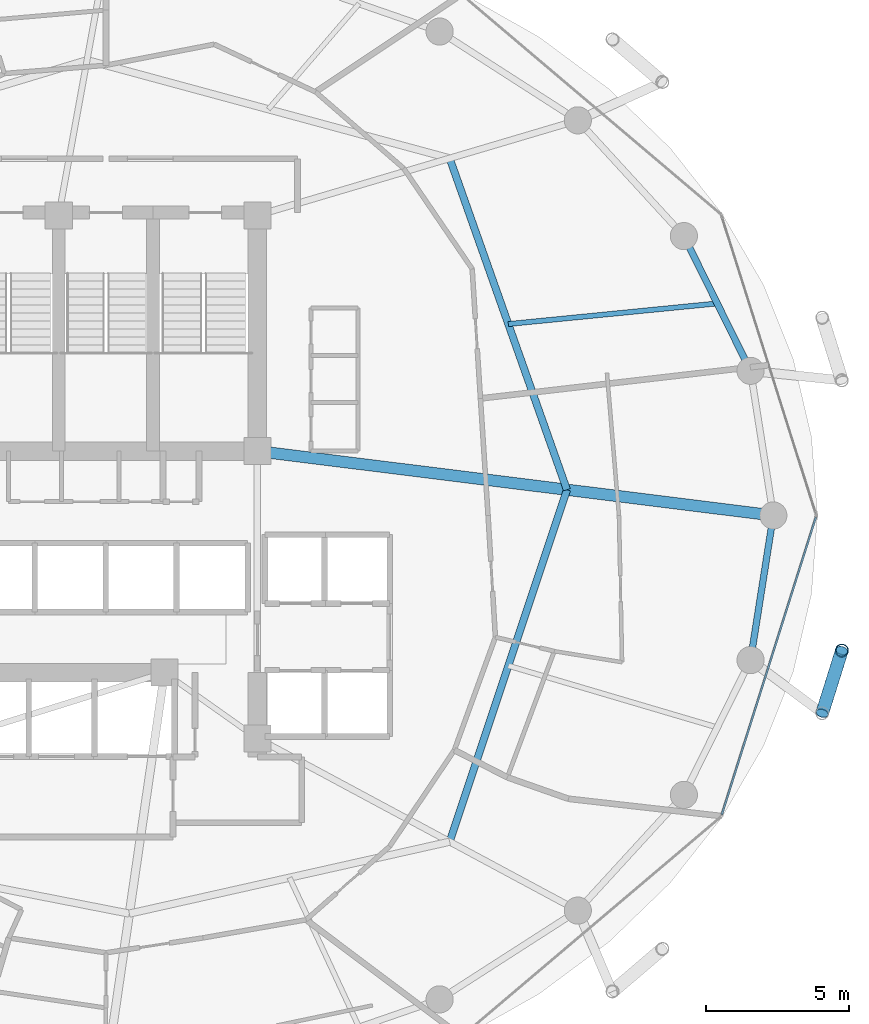
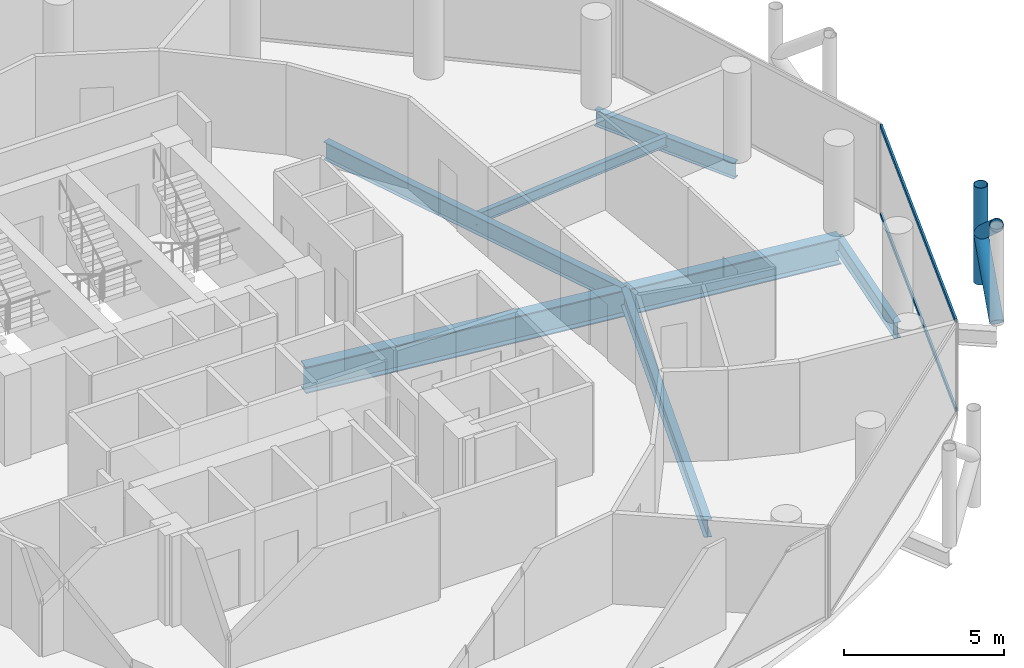
# One storey, part 11 of 26: 6 beams, 5 members, 1 element without a shape of its own.
"""IFC4 building model written with IfcOpenShell, lengths in metres."""

import ifcopenshell
import ifcopenshell.guid

model = None  # the IFC model being written
_history = None  # IfcOwnerHistory: only IFC2X3 demands one
_inside = {}  # id of a spatial element -> (the spatial element, [elements in it])
_under = {}  # id of a project, library or spatial element -> (it, [spatial elements below it])
_declared = {}  # id of a project -> (the project, [libraries it declares])
_typed = {}  # id of a type object -> (the type object, [elements of that type])
_made_of = {}  # id of a material, layer set ... -> (it, [elements and type objects made of it])


def new_model(schema):
    """Start an empty IFC model of exactly this schema.

    Asked for "IFC4X3", IfcOpenShell would pick the latest addendum, in which some entities
    have other attributes; the version numbers below select the first issue.
    IFC2X3 requires an IfcOwnerHistory on every rooted entity: one is made here for all.
    """
    global model, _history
    if schema == "IFC4X3":
        model = ifcopenshell.file(schema_version=(4, 3, 0, 0))
    else:
        model = ifcopenshell.file(schema=schema)
    _inside.clear()
    _under.clear()
    _declared.clear()
    _typed.clear()
    _made_of.clear()
    _history = None
    if model.schema == "IFC2X3":
        org = make("IfcOrganization", Name="unknown")
        user = make(
            "IfcPersonAndOrganization",
            ThePerson=make("IfcPerson", FamilyName="unknown"),
            TheOrganization=org,
        )
        app = make(
            "IfcApplication",
            ApplicationDeveloper=org,
            Version="unknown",
            ApplicationFullName="unknown",
            ApplicationIdentifier="unknown",
        )
        _history = make(
            "IfcOwnerHistory",
            OwningUser=user,
            OwningApplication=app,
            ChangeAction="ADDED",
            CreationDate=0,
        )
    return model


def make(cls, **values):
    """One entity of the class cls with the attributes given. An attribute that is None is left unset."""
    return model.create_entity(
        cls, **{name: value for name, value in values.items() if value is not None}
    )


def rooted(cls, **values):
    """An entity with a GlobalId (a new one), such as an element, a storey or a relation."""
    return make(cls, GlobalId=ifcopenshell.guid.new(), OwnerHistory=_history, **values)


def si_unit(unit_type, name, prefix=None):
    """IfcSIUnit, for example si_unit("LENGTHUNIT", "METRE", prefix="MILLI")."""
    return make("IfcSIUnit", UnitType=unit_type, Prefix=prefix, Name=name)


def assignment(units):
    """IfcUnitAssignment: the units of a project."""
    return None if units is None else make("IfcUnitAssignment", Units=units)


def point(xyz):
    """IfcCartesianPoint."""
    return None if xyz is None else make("IfcCartesianPoint", Coordinates=xyz)


def direction(xyz):
    """IfcDirection."""
    return None if xyz is None else make("IfcDirection", DirectionRatios=xyz)


def frame(location, z_axis=None, x_axis=None):
    """IfcAxis2Placement3D, a coordinate frame: its origin and axes. An axis left out is left unset."""
    return make(
        "IfcAxis2Placement3D",
        Location=point(location),
        Axis=direction(z_axis),
        RefDirection=direction(x_axis),
    )


def frame_2d(location, x_axis=None):
    """IfcAxis2Placement2D, a coordinate frame in the plane: its origin and x axis."""
    return make(
        "IfcAxis2Placement2D", Location=point(location), RefDirection=direction(x_axis)
    )


def origin():
    """The frame at (0, 0, 0) with its axes left unset."""
    return frame((0.0, 0.0, 0.0))


def origin_2d():
    """The frame at (0, 0) in the plane with its x axis left unset."""
    return frame_2d((0.0, 0.0))


def place(relative_to, where):
    """IfcLocalPlacement: puts the frame where relative to a parent placement (None: the world)."""
    return make(
        "IfcLocalPlacement", PlacementRelTo=relative_to, RelativePlacement=where
    )


def context(
    kind, dimensions, precision=None, world=None, true_north=None, identifier=None
):
    """IfcGeometricRepresentationContext, for example the 3D "Model" context."""
    return make(
        "IfcGeometricRepresentationContext",
        ContextIdentifier=identifier,
        ContextType=kind,
        CoordinateSpaceDimension=dimensions,
        Precision=precision,
        WorldCoordinateSystem=world,
        TrueNorth=true_north,
    )


def subcontext(parent, identifier, kind, view, scale=None):
    """IfcGeometricRepresentationSubContext, for example "Body" below "Model"."""
    return make(
        "IfcGeometricRepresentationSubContext",
        ContextIdentifier=identifier,
        ContextType=kind,
        ParentContext=parent,
        TargetScale=scale,
        TargetView=view,
    )


def project(units=None, contexts=None):
    """IfcProject with its units and contexts."""
    return rooted(
        "IfcProject",
        Name="project",
        RepresentationContexts=contexts,
        UnitsInContext=assignment(units),
    )


def spatial(cls, under=None, at=None, **own):
    """A site, building, storey or space (cls), placed at a placement, below another one or the project."""
    s = rooted(cls, ObjectPlacement=at, **own)
    if under is not None:
        _under.setdefault(under.id(), (under, []))[1].append(s)
    return s


def profile(cls, at=None, kind="AREA", **sizes):
    """A parametric profile (cls). Its sizes go by their IFC names, for example OverallWidth=200.0."""
    return make(cls, ProfileType=kind, Position=at, **sizes)


def hollow_rectangle(**sizes):
    """IfcRectangleHollowProfileDef."""
    return profile("IfcRectangleHollowProfileDef", **sizes)


def hollow_circle(**sizes):
    """IfcCircleHollowProfileDef."""
    return profile("IfcCircleHollowProfileDef", **sizes)


def i_section(**sizes):
    """IfcIShapeProfileDef."""
    return profile("IfcIShapeProfileDef", **sizes)


def extrude(swept, where, along, depth):
    """IfcExtrudedAreaSolid: the profile swept, set in the frame where, extruded along a direction by depth."""
    return make(
        "IfcExtrudedAreaSolid",
        SweptArea=swept,
        Position=where,
        ExtrudedDirection=direction(along),
        Depth=depth,
    )


def shape(context_of_items, identifier, shape_type, items):
    """IfcShapeRepresentation: the items that make up one representation, for example the "Body"."""
    return make(
        "IfcShapeRepresentation",
        ContextOfItems=context_of_items,
        RepresentationIdentifier=identifier,
        RepresentationType=shape_type,
        Items=items,
    )


def material(Name=None, Category=None):
    """IfcMaterial."""
    return make("IfcMaterial", Name=Name, Category=Category)


def layer(
    of_material, thickness, ventilated=None, Name=None, Category=None, Priority=None
):
    """IfcMaterialLayer: one layer of a wall or slab, of a material (None: an air gap)."""
    return make(
        "IfcMaterialLayer",
        Material=of_material,
        LayerThickness=thickness,
        IsVentilated=ventilated,
        Name=Name,
        Category=Category,
        Priority=Priority,
    )


def layer_set(layers, Name=None):
    """IfcMaterialLayerSet."""
    return make("IfcMaterialLayerSet", MaterialLayers=layers, LayerSetName=Name)


def material_profile(
    of_material, cross_section, Name=None, Category=None, Priority=None
):
    """IfcMaterialProfile: a cross section and its material."""
    return make(
        "IfcMaterialProfile",
        Name=Name,
        Material=of_material,
        Profile=cross_section,
        Priority=Priority,
        Category=Category,
    )


def profile_set(profiles, Name=None, composite=None):
    """IfcMaterialProfileSet."""
    return make(
        "IfcMaterialProfileSet",
        Name=Name,
        MaterialProfiles=profiles,
        CompositeProfile=composite,
    )


def made_of(thing, what):
    """Note that an element or type object is made of a material, layer set ...; save() writes the relation."""
    if what is not None:
        _made_of.setdefault(what.id(), (what, []))[1].append(thing)
    return thing


def type_object(cls, material=None, **own):
    """A type object (cls), such as IfcWallType, which elements share."""
    return made_of(rooted(cls, **own), material)


def element(
    cls,
    number,
    at=None,
    inside=None,
    cuts=None,
    type_object=None,
    material=None,
    context=None,
    identifier="Body",
    shape_type=None,
    held_by="IfcProductDefinitionShape",
    body=None,
    shapes=None,
    **own,
):
    """One element of the class cls, such as IfcWall. Its Tag is "e" and its number.

    at: its placement. inside: the storey or other place that contains it. cuts: it is an
    opening in that element (IfcRelVoidsElement). A single representation is given by context,
    identifier, shape_type and body (its items); several are given by shapes. held_by: the class
    of the entity that holds the representations. save() writes the other relations.
    """
    e = rooted(cls, Tag="e%d" % number, ObjectPlacement=at, **own)
    if body is not None:
        shapes = [shape(context, identifier, shape_type, body)]
    if shapes is not None:
        e.Representation = make(held_by, Representations=shapes)
    if inside is not None:
        _inside.setdefault(inside.id(), (inside, []))[1].append(e)
    if cuts is not None:
        rooted(
            "IfcRelVoidsElement", RelatingBuildingElement=cuts, RelatedOpeningElement=e
        )
    if type_object is not None:
        _typed.setdefault(type_object.id(), (type_object, []))[1].append(e)
    return made_of(e, material)


def aggregate(whole, parts):
    """IfcRelAggregates: a whole, such as a stair, and the parts it consists of."""
    return rooted("IfcRelAggregates", RelatingObject=whole, RelatedObjects=parts)


def save(model, path):
    """Write the relations noted so far, then the file.

    IfcRelAggregates (storeys below a building ...), IfcRelContainedInSpatialStructure (elements
    in a storey), IfcRelDefinesByType, IfcRelAssociatesMaterial and IfcRelDeclares: one each for
    every whole, place, type object, material and project.
    """
    for whole, parts in _under.values():
        aggregate(whole, parts)
    for where, things in _inside.values():
        rooted(
            "IfcRelContainedInSpatialStructure",
            RelatedElements=things,
            RelatingStructure=where,
        )
    for kind, things in _typed.values():
        rooted("IfcRelDefinesByType", RelatedObjects=things, RelatingType=kind)
    for what, things in _made_of.values():
        rooted("IfcRelAssociatesMaterial", RelatedObjects=things, RelatingMaterial=what)
    for by, libraries in _declared.values():
        rooted("IfcRelDeclares", RelatingContext=by, RelatedDefinitions=libraries)
    model.write(path)


model = new_model("IFC4")

# Units and contexts
model_context = context("Model", 3, precision=1e-05, world=origin(), true_north=direction((0.0, 1.0)))
body_context = subcontext(model_context, "Body", "Model", "MODEL_VIEW")
ifc_project = project(units=[si_unit("LENGTHUNIT", "METRE"), si_unit("AREAUNIT", "SQUARE_METRE"), si_unit("VOLUMEUNIT", "CUBIC_METRE"), si_unit("PLANEANGLEUNIT", "RADIAN"), si_unit("MASSUNIT", "GRAM", prefix="KILO")], contexts=[model_context])

# Site, building, storey
site_placement = place(None, origin())
site = spatial("IfcSite", under=ifc_project, at=site_placement, CompositionType="ELEMENT")
building_placement = place(site_placement, origin())
building = spatial("IfcBuilding", under=site, at=building_placement, Name="Nuhasar Tower", CompositionType="ELEMENT")
storey_placement = place(building_placement, frame((0.0, 0.0, 129.35009765625)))
storey = spatial("IfcBuildingStorey", under=building, at=storey_placement, Name="L30", CompositionType="ELEMENT", Elevation=129.35009765625)

# Beams
ifc_material_1 = material(Name="Steel S355", Category="steel")
ifc_material_profile_1 = material_profile(ifc_material_1, i_section(OverallWidth=0.25390625, OverallDepth=0.68408203125, WebThickness=0.012451171875, FlangeThickness=0.018798828125, at=origin_2d()), Name="W27X94")
ifc_profile_set_1 = profile_set([ifc_material_profile_1], Name="Steel S355")
beam_type_1 = type_object("IfcBeamType", Name="BM-INRING-W27X94", PredefinedType="BEAM", material=ifc_profile_set_1)
beam_1_placement = place(storey_placement, frame((51.027099609375, 15.385986328125, -0.592041015625), z_axis=(0.31609797573, 0.948726551615, 0.0), x_axis=(-0.948726551615, 0.31609797573, 0.0)))
element("IfcBeam", 1, at=beam_1_placement, inside=storey, type_object=beam_type_1, Name="L30 Inner Header Beam 03", PredefinedType="BEAM", context=body_context, shape_type="SweptSolid", body=[
    extrude(i_section(OverallWidth=0.25390625, OverallDepth=0.68408203125, WebThickness=0.012451171875, FlangeThickness=0.018798828125, at=origin_2d()), origin(), (0.0, 0.0, 1.0), 12.9794921875),
])
beam_2_placement = place(storey_placement, frame((55.1298828125, 27.699951171875, -0.592041015625), z_axis=(-0.333599821096, 0.942714781556, 0.0), x_axis=(-0.942714781556, -0.333599821096, 0.0)))
element("IfcBeam", 2, at=beam_2_placement, inside=storey, type_object=beam_type_1, Name="L30 Inner Header Beam 04", PredefinedType="BEAM", context=body_context, shape_type="SweptSolid", body=[
    extrude(i_section(OverallWidth=0.25390625, OverallDepth=0.68408203125, WebThickness=0.012451171875, FlangeThickness=0.018798828125, at=origin_2d()), origin(), (0.0, 0.0, 1.0), 12.298583984375),
])
ifc_material_profile_2 = material_profile(ifc_material_1, i_section(OverallWidth=0.177978515625, OverallDepth=0.406005859375, WebThickness=0.0078125, FlangeThickness=0.0126953125, at=origin_2d()), Name="W16X40")
ifc_profile_set_2 = profile_set([ifc_material_profile_2], Name="Steel S355")
beam_type_2 = type_object("IfcBeamType", Name="BM-JST-W16X40", PredefinedType="JOIST", material=ifc_profile_set_2)
beam_3_placement = place(storey_placement, frame((53.0791015625, 33.4970703125, -0.453125), z_axis=(0.995170244515, 0.098164068947, 0.0), x_axis=(-0.098164068947, 0.995170244515, 0.0)))
element("IfcBeam", 3, at=beam_3_placement, inside=storey, type_object=beam_type_2, Name="L30 Secondary Floor Joist 04", PredefinedType="JOIST", context=body_context, shape_type="SweptSolid", body=[
    extrude(i_section(OverallWidth=0.177978515625, OverallDepth=0.406005859375, WebThickness=0.0078125, FlangeThickness=0.0126953125, at=origin_2d()), origin(), (0.0, 0.0, 1.0), 7.34423828125),
])
ifc_material_profile_3 = material_profile(ifc_material_1, i_section(OverallWidth=0.22998046875, OverallDepth=0.616943359375, WebThickness=0.01318359375, FlangeThickness=0.022216796875, at=origin_2d()), Name="W24X94")
ifc_profile_set_3 = profile_set([ifc_material_profile_3], Name="Steel S355")
beam_type_3 = type_object("IfcBeamType", Name="BM-RING-W24X94", PredefinedType="SPANDREL", material=ifc_profile_set_3)
beam_4_placement = place(storey_placement, frame((61.553955078125, 31.860107421875, -0.55908203125), z_axis=(-0.443347771709, 0.896349682501, 0.0), x_axis=(-0.896349682501, -0.443347771709, 0.0)))
element("IfcBeam", 4, at=beam_4_placement, inside=storey, type_object=beam_type_3, Name="L30 Perimeter Ring Spandrel 02", PredefinedType="SPANDREL", context=body_context, shape_type="SweptSolid", body=[
    extrude(i_section(OverallWidth=0.22998046875, OverallDepth=0.616943359375, WebThickness=0.01318359375, FlangeThickness=0.022216796875, at=origin_2d()), origin(), (0.0, 0.0, 1.0), 5.260009765625),
])
beam_5_placement = place(storey_placement, frame((61.553955078125, 21.739990234375, -0.55908203125), z_axis=(0.155426543608, 0.987847452566, 0.0), x_axis=(-0.987847452566, 0.155426543608, 0.0)))
element("IfcBeam", 5, at=beam_5_placement, inside=storey, type_object=beam_type_3, Name="L30 Perimeter Ring Spandrel 24", PredefinedType="SPANDREL", context=body_context, shape_type="SweptSolid", body=[
    extrude(i_section(OverallWidth=0.22998046875, OverallDepth=0.616943359375, WebThickness=0.01318359375, FlangeThickness=0.022216796875, at=origin_2d()), origin(), (0.0, 0.0, 1.0), 5.122314453125),
])
ifc_material_2 = material(Name="Steel S460", Category="steel")
ifc_material_profile_4 = material_profile(ifc_material_2, i_section(OverallWidth=0.40087890625, OverallDepth=1.010009765625, WebThickness=0.023681640625, FlangeThickness=0.0419921875, at=origin_2d()), Name="W40X297")
ifc_profile_set_4 = profile_set([ifc_material_profile_4], Name="Steel S460")
beam_type_4 = type_object("IfcBeamType", Name="BM-XFER-W40X297", PredefinedType="USERDEFINED", material=ifc_profile_set_4)
beam_6_placement = place(storey_placement, frame((44.300048828125, 29.050048828125, -0.755126953125), z_axis=(0.992320149485, -0.123696082908, 0.0), x_axis=(0.123696082908, 0.992320149485, 0.0)))
element("IfcBeam", 6, at=beam_6_placement, inside=storey, type_object=beam_type_4, Name="L30 Radial Floor Girder 04", ObjectType="GIRDER", PredefinedType="USERDEFINED", context=body_context, shape_type="SweptSolid", body=[
    extrude(i_section(OverallWidth=0.40087890625, OverallDepth=1.010009765625, WebThickness=0.023681640625, FlangeThickness=0.0419921875, at=origin_2d()), origin(), (0.0, 0.0, 1.0), 18.189697265625),
])

# Curtain wall, members
ifc_material_3 = material(Name="Aluminium 6063-T6", Category="aluminium")
ifc_layer = layer(ifc_material_3, 0.199951171875)
ifc_layer_set = layer_set([ifc_layer], Name="Aluminium 6063-T6")
curtain_wall_type = type_object("IfcCurtainWallType", Name="CW-Z2-HTL", PredefinedType="NOTDEFINED", material=ifc_layer_set)
curtain_wall_placement = place(storey_placement, origin())
curtain_wall = element("IfcCurtainWall", 7, at=curtain_wall_placement, inside=storey, type_object=curtain_wall_type, Name="L30 Unitised Curtain Wall 12", PredefinedType="NOTDEFINED")
ifc_material_profile_5 = material_profile(ifc_material_3, hollow_rectangle(XDim=0.070068359375, YDim=0.159912109375, WallThickness=0.00439453125, at=origin_2d()), Name="CWT-3")
ifc_profile_set_5 = profile_set([ifc_material_profile_5], Name="Aluminium 6063-T6")
member_type_1 = type_object("IfcMemberType", Name="CW-TRN-S3", PredefinedType="USERDEFINED", material=ifc_profile_set_5)
member_1_placement = place(storey_placement, frame((60.550048828125, 16.336669921875, 0.034912109375), z_axis=(0.301608163352, 0.953431967053, 0.0), x_axis=(-0.953431967053, 0.301608163352, 0.0)))
member_1 = element("IfcMember", 8, at=member_1_placement, type_object=member_type_1, Name="CW-Z2 transom 1.1", ObjectType="TRANSOM", PredefinedType="USERDEFINED", context=body_context, shape_type="SweptSolid", body=[
    extrude(hollow_rectangle(XDim=0.070068359375, YDim=0.159912109375, WallThickness=0.00439453125, at=origin_2d()), origin(), (0.0, 0.0, 1.0), 10.904296875),
])
member_2_placement = place(storey_placement, frame((60.550048828125, 16.336669921875, 3.414794921875), z_axis=(0.301608163352, 0.953431967053, 0.0), x_axis=(-0.953431967053, 0.301608163352, 0.0)))
member_2 = element("IfcMember", 9, at=member_2_placement, type_object=member_type_1, Name="CW-Z2 transom 1.2", ObjectType="TRANSOM", PredefinedType="USERDEFINED", context=body_context, shape_type="SweptSolid", body=[
    extrude(hollow_rectangle(XDim=0.070068359375, YDim=0.159912109375, WallThickness=0.00439453125, at=origin_2d()), origin(), (0.0, 0.0, 1.0), 10.904296875),
])
aggregate(curtain_wall, [member_1, member_2])

# Members
ifc_material_profile_6 = material_profile(ifc_material_2, hollow_circle(Radius=0.228515625, WallThickness=0.022216796875, at=origin_2d()), Name="HSS457X22.2")
ifc_profile_set_6 = profile_set([ifc_material_profile_6], Name="Steel S460")
member_type_2 = type_object("IfcMemberType", Name="EXO-BRONZE-457", PredefinedType="BRACE", material=ifc_profile_set_6)
member_3_placement = place(storey_placement, frame((64.748046875, 22.073974609375, 0.0), z_axis=(0.0, 0.0, 1.0), x_axis=(1.0, 0.0, 0.0)))
element("IfcMember", 10, at=member_3_placement, inside=storey, type_object=member_type_2, Name="L30 Exoskeleton Chord Column EC-12B", PredefinedType="BRACE", context=body_context, shape_type="SweptSolid", body=[
    extrude(hollow_circle(Radius=0.228515625, WallThickness=0.022216796875, at=origin_2d()), origin(), (0.0, 0.0, 1.0), 3.699951171875),
])
member_4_placement = place(storey_placement, frame((64.06005859375, 19.87890625, 0.0), z_axis=(0.233067628236, 0.74361641074, 0.626669062861), x_axis=(-0.954228474306, 0.29907861646, 0.0)))
element("IfcMember", 11, at=member_4_placement, inside=storey, type_object=member_type_2, Name="L30 Bronze Diagrid Brace W1-12", PredefinedType="BRACE", context=body_context, shape_type="SweptSolid", body=[
    extrude(hollow_circle(Radius=0.228515625, WallThickness=0.022216796875, at=origin_2d()), origin(), (0.0, 0.0, 1.0), 2.951904296875),
])
member_5_placement = place(storey_placement, frame((64.748046875, 22.073974609375, 1.849853515625), z_axis=(-0.233055548538, -0.743577869731, 0.626719285599), x_axis=(0.954228474306, -0.29907861646, 0.0)))
element("IfcMember", 12, at=member_5_placement, inside=storey, type_object=member_type_2, Name="L30 Bronze Diagrid Brace W2-12", PredefinedType="BRACE", context=body_context, shape_type="SweptSolid", body=[
    extrude(hollow_circle(Radius=0.228515625, WallThickness=0.022216796875, at=origin_2d()), origin(), (0.0, 0.0, 1.0), 2.9521484375),
])

save(model, "model.ifc")
